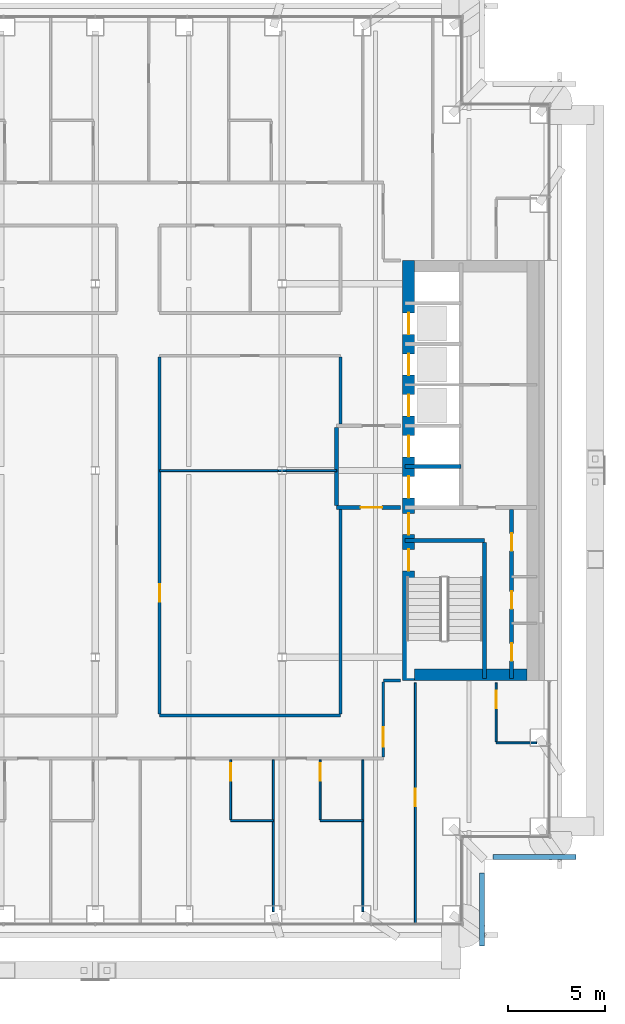
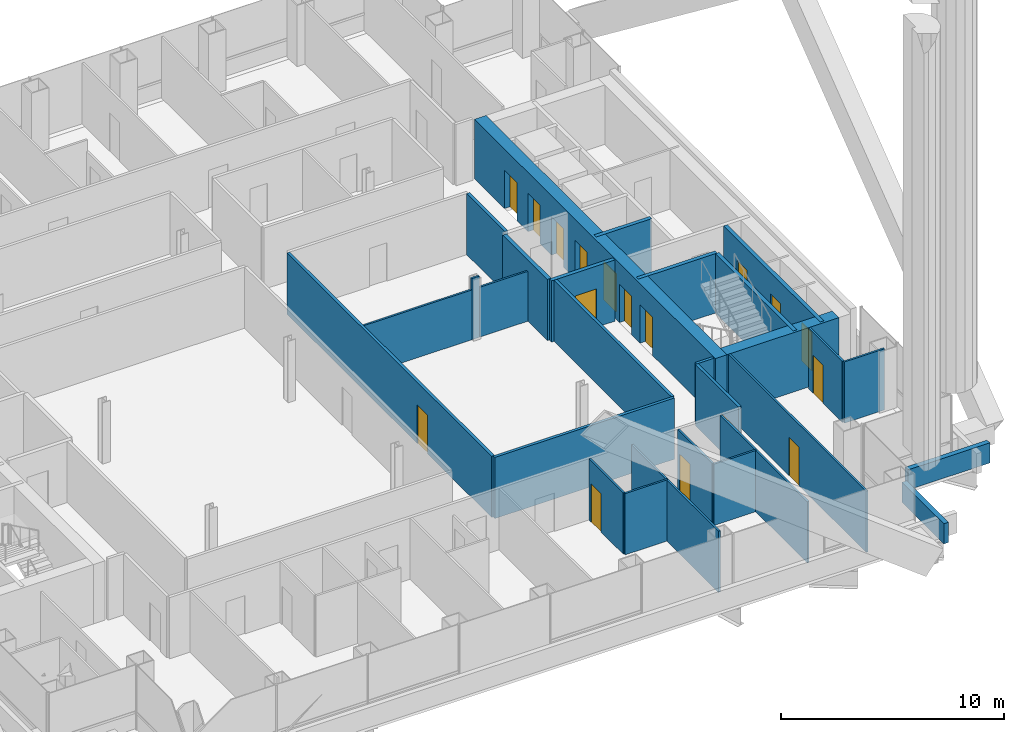
# One storey, part 14 of 22: 28 walls, 17 doors, 17 openings.
"""IFC4 building model written with IfcOpenShell, lengths in metres."""

from ifc_helpers import new_model, si_unit, direction, frame, frame_2d, origin, place, context, subcontext, project, spatial, rectangle, extrude, material, layer, layer_set, type_object, element, fill, save


model = new_model("IFC4")

# Units and contexts
model_context = context("Model", 3, precision=1e-05, world=origin(), true_north=direction((0.0, 1.0)))
body_context = subcontext(model_context, "Body", "Model", "MODEL_VIEW")
ifc_project = project(units=[si_unit("LENGTHUNIT", "METRE"), si_unit("AREAUNIT", "SQUARE_METRE"), si_unit("VOLUMEUNIT", "CUBIC_METRE"), si_unit("PLANEANGLEUNIT", "RADIAN"), si_unit("MASSUNIT", "GRAM", prefix="KILO")], contexts=[model_context])

# Site, building, storey
site_placement = place(None, origin())
site = spatial("IfcSite", under=ifc_project, at=site_placement, CompositionType="ELEMENT")
building_placement = place(site_placement, origin())
building = spatial("IfcBuilding", under=site, at=building_placement, Name="Cobrizo Arcos Hotel Tower", CompositionType="ELEMENT")
storey_placement = place(building_placement, frame((0.0, 0.0, 89.0)))
storey = spatial("IfcBuildingStorey", under=building, at=storey_placement, Name="L21", CompositionType="ELEMENT", Elevation=89.0)

# Walls
ifc_material_1 = material(Name="Gypsum board partition")
ifc_layer_1 = layer(ifc_material_1, 0.14990234375)
ifc_layer_set_1 = layer_set([ifc_layer_1], Name="Corridor wall EI 60 150")
wall_type_1 = type_object("IfcWallType", Name="Corridor wall EI 60 150", PredefinedType="PARTITIONING", material=ifc_layer_set_1)
wall_1_placement = place(storey_placement, frame((3.300048828125, -12.60009765625, 0.0), z_axis=(0.0, 0.0, 1.0), x_axis=(1.0, 0.0, 0.0)))
element("IfcWall", 1, at=wall_1_placement, inside=storey, type_object=wall_type_1, Name="Partition 009", PredefinedType="PARTITIONING", context=body_context, shape_type="SweptSolid", body=[
    extrude(rectangle(XDim=9.300048828125, YDim=0.14990234375, at=frame_2d((4.64990234375, 0.0))), origin(), (0.0, 0.0, 1.0), 3.35009765625),
])
wall_2_placement = place(storey_placement, frame((14.800048828125, -10.800048828125, 0.0), z_axis=(0.0, 0.0, 1.0), x_axis=(1.0, 0.0, 0.0)))
element("IfcWall", 2, at=wall_2_placement, inside=storey, type_object=wall_type_1, Name="Partition 011", PredefinedType="PARTITIONING", context=body_context, shape_type="SweptSolid", body=[
    extrude(rectangle(XDim=0.8798828125, YDim=0.14990234375, at=frame_2d((0.43994140625, 0.0))), origin(), (0.0, 0.0, 1.0), 3.35009765625),
])

# Wall, opening, door
wall_3_placement = place(storey_placement, frame((3.300048828125, -12.52490234375, 0.0), z_axis=(0.0, 0.0, 1.0), x_axis=(0.0, 1.0, 0.0)))
wall_3 = element("IfcWall", 3, at=wall_3_placement, inside=storey, type_object=wall_type_1, Name="Partition 083", PredefinedType="PARTITIONING", context=body_context, shape_type="SweptSolid", body=[
    extrude(rectangle(XDim=18.349853515625, YDim=0.14990234375, at=frame_2d((9.1748046875, 0.0))), origin(), (0.0, 0.0, 1.0), 3.35009765625),
])
opening_1_placement = place(wall_3_placement, frame((5.77490234375, 0.0, 0.0)))
opening_1 = element("IfcOpeningElement", 4, at=opening_1_placement, cuts=wall_3, Name="Opening RD-18", PredefinedType="OPENING", context=body_context, shape_type="SweptSolid", body=[
    extrude(rectangle(XDim=0.89990234375, YDim=2.10009765625, at=frame_2d((0.449951171875, 1.050048828125))), frame((0.0, 0.0869140625, 0.0), z_axis=(0.0, -1.0, 0.0), x_axis=(1.0, 0.0, 0.0)), (0.0, 0.0, 1.0), 0.173828125),
])
ifc_material_2 = material(Name="Timber door leaf", Category="wood")
door_type_1 = type_object("IfcDoorType", Name="Room door FD30 900x2100", OperationType="SINGLE_SWING_LEFT", PredefinedType="DOOR", material=ifc_material_2)
door_1_placement = place(opening_1_placement, origin())
door_1 = element("IfcDoor", 5, at=door_1_placement, inside=storey, type_object=door_type_1, Name="Door RD-18", OperationType="SINGLE_SWING_LEFT", OverallHeight=2.10009765625, OverallWidth=0.89990234375, PredefinedType="DOOR", context=body_context, shape_type="SweptSolid", body=[
    extrude(rectangle(XDim=0.89990234375, YDim=2.10009765625, at=frame_2d((0.449951171875, 1.050048828125))), frame((0.0, 0.02490234375, 0.0), z_axis=(0.0, -1.0, 0.0), x_axis=(1.0, 0.0, 0.0)), (0.0, 0.0, 1.0), 0.050048828125),
])
fill(opening_1, door_1)

# Walls
wall_4_placement = place(storey_placement, frame((12.60009765625, -12.52490234375, 0.0), z_axis=(0.0, 0.0, 1.0), x_axis=(0.0, 1.0, 0.0)))
element("IfcWall", 6, at=wall_4_placement, inside=storey, type_object=wall_type_1, Name="Partition 092", PredefinedType="PARTITIONING", context=body_context, shape_type="SweptSolid", body=[
    extrude(rectangle(XDim=10.52490234375, YDim=0.14990234375, at=frame_2d((5.262451171875, 0.0))), origin(), (0.0, 0.0, 1.0), 3.35009765625),
])
wall_5_placement = place(storey_placement, frame((12.60009765625, 2.39990234375, 0.0), z_axis=(0.0, 0.0, 1.0), x_axis=(0.0, 1.0, 0.0)))
element("IfcWall", 7, at=wall_5_placement, inside=storey, type_object=wall_type_1, Name="Partition 093", PredefinedType="PARTITIONING", context=body_context, shape_type="SweptSolid", body=[
    extrude(rectangle(XDim=3.425048828125, YDim=0.14990234375, at=frame_2d((1.71240234375, 0.0))), origin(), (0.0, 0.0, 1.0), 3.35009765625),
])

# Wall, opening, door
wall_6_placement = place(storey_placement, frame((14.800048828125, -14.72509765625, 0.0), z_axis=(0.0, 0.0, 1.0), x_axis=(0.0, 1.0, 0.0)))
wall_6 = element("IfcWall", 8, at=wall_6_placement, inside=storey, type_object=wall_type_1, Name="Partition 097", PredefinedType="PARTITIONING", context=body_context, shape_type="SweptSolid", body=[
    extrude(rectangle(XDim=3.85009765625, YDim=0.14990234375, at=frame_2d((1.925048828125, 0.0))), origin(), (0.0, 0.0, 1.0), 3.35009765625),
])
opening_2_placement = place(wall_6_placement, frame((0.52490234375, 0.0, 0.0)))
opening_2 = element("IfcOpeningElement", 9, at=opening_2_placement, cuts=wall_6, Name="Opening GD-12", PredefinedType="OPENING", context=body_context, shape_type="SweptSolid", body=[
    extrude(rectangle(XDim=1.0, YDim=2.10009765625, at=frame_2d((0.5, 1.050048828125))), frame((0.0, 0.0869140625, 0.0), z_axis=(0.0, -1.0, 0.0), x_axis=(1.0, 0.0, 0.0)), (0.0, 0.0, 1.0), 0.173828125),
])
door_type_2 = type_object("IfcDoorType", Name="Guest room door FD30S 1000x2100", OperationType="SINGLE_SWING_LEFT", PredefinedType="DOOR", material=ifc_material_2)
door_2_placement = place(opening_2_placement, origin())
door_2 = element("IfcDoor", 10, at=door_2_placement, inside=storey, type_object=door_type_2, Name="Door GD-12", OperationType="SINGLE_SWING_LEFT", OverallHeight=2.10009765625, OverallWidth=1.0, PredefinedType="DOOR", context=body_context, shape_type="SweptSolid", body=[
    extrude(rectangle(XDim=1.0, YDim=2.10009765625, at=frame_2d((0.5, 1.050048828125))), frame((0.0, 0.02490234375, 0.0), z_axis=(0.0, -1.0, 0.0), x_axis=(1.0, 0.0, 0.0)), (0.0, 0.0, 1.0), 0.050048828125),
])
fill(opening_2, door_2)

# Walls
ifc_material_3 = material(Name="Aluminium composite panel pale metal", Category="aluminium")
ifc_layer_2 = layer(ifc_material_3, 0.25)
ifc_layer_set_2 = layer_set([ifc_layer_2], Name="PW-1 parapet wall")
wall_type_2 = type_object("IfcWallType", Name="PW-1 parapet wall", PredefinedType="PARAPET", material=ifc_layer_set_2)
wall_7_placement = place(storey_placement, frame((19.875, -24.449951171875, 0.0), z_axis=(0.0, 0.0, 1.0), x_axis=(0.0, 1.0, 0.0)))
element("IfcWall", 11, at=wall_7_placement, inside=storey, type_object=wall_type_2, Name="Parapet L20 E", PredefinedType="PARAPET", context=body_context, shape_type="SweptSolid", body=[
    extrude(rectangle(XDim=3.75, YDim=0.25, at=frame_2d((1.875, 0.0))), origin(), (0.0, 0.0, 1.0), 1.10009765625),
])
wall_8_placement = place(storey_placement, frame((20.449951171875, -19.875, 0.0), z_axis=(0.0, 0.0, 1.0), x_axis=(1.0, 0.0, 0.0)))
element("IfcWall", 12, at=wall_8_placement, inside=storey, type_object=wall_type_2, Name="Parapet L20 S", PredefinedType="PARAPET", context=body_context, shape_type="SweptSolid", body=[
    extrude(rectangle(XDim=4.25, YDim=0.25, at=frame_2d((2.125, 0.0))), origin(), (0.0, 0.0, 1.0), 1.10009765625),
])
ifc_layer_3 = layer(ifc_material_1, 0.10009765625)
ifc_layer_set_3 = layer_set([ifc_layer_3], Name="Partition EI 30 100")
wall_type_3 = type_object("IfcWallType", Name="Partition EI 30 100", PredefinedType="PARTITIONING", material=ifc_layer_set_3)
for number, where, z_axis, x_axis, name in (
    (13, (6.949951171875, -18.0, 0.0), (0.0, 0.0, 1.0), (1.0, 0.0, 0.0), "Partition 003"),
    (14, (11.550048828125, -18.0, 0.0), (0.0, 0.0, 1.0), (1.0, 0.0, 0.0), "Partition 004"),
):
    element("IfcWall", number, at=place(storey_placement, frame(where, z_axis=z_axis, x_axis=x_axis)), inside=storey, type_object=wall_type_3, Name=name, PredefinedType="PARTITIONING", context=body_context, shape_type="SweptSolid", body=[
        extrude(rectangle(XDim=2.199951171875, YDim=0.10009765625, at=frame_2d((1.10009765625, 0.0))), origin(), (0.0, 0.0, 1.0), 3.35009765625),
    ])
wall_9_placement = place(storey_placement, frame((20.60009765625, -14.0, 0.0), z_axis=(0.0, 0.0, 1.0), x_axis=(1.0, 0.0, 0.0)))
element("IfcWall", 15, at=wall_9_placement, inside=storey, type_object=wall_type_3, Name="Partition 007", PredefinedType="PARTITIONING", context=body_context, shape_type="SweptSolid", body=[
    extrude(rectangle(XDim=2.079833984375, YDim=0.10009765625, at=frame_2d((1.0400390625, 0.0))), origin(), (0.0, 0.0, 1.0), 3.35009765625),
])
wall_10_placement = place(storey_placement, frame((3.300048828125, 0.0, 0.0), z_axis=(0.0, 0.0, 1.0), x_axis=(1.0, 0.0, 0.0)))
element("IfcWall", 16, at=wall_10_placement, inside=storey, type_object=wall_type_3, Name="Partition 022", PredefinedType="PARTITIONING", context=body_context, shape_type="SweptSolid", body=[
    extrude(rectangle(XDim=6.100830078125, YDim=0.10009765625, at=frame_2d((3.05029296875, 0.0))), origin(), (0.0, 0.0, 1.0), 2.72802734375),
])
wall_11_placement = place(storey_placement, frame((9.40087890625, 0.0, 0.0), z_axis=(0.0, 0.0, 1.0), x_axis=(1.0, 0.0, 0.0)))
element("IfcWall", 17, at=wall_11_placement, inside=storey, type_object=wall_type_3, Name="Partition 023", PredefinedType="PARTITIONING", context=body_context, shape_type="SweptSolid", body=[
    extrude(rectangle(XDim=0.398193359375, YDim=0.10009765625, at=frame_2d((0.19921875, 0.0))), origin(), (0.0, 0.0, 1.0), 3.35009765625),
])
wall_12_placement = place(storey_placement, frame((9.799072265625, 0.0, 0.0), z_axis=(0.0, 0.0, 1.0), x_axis=(1.0, 0.0, 0.0)))
element("IfcWall", 18, at=wall_12_placement, inside=storey, type_object=wall_type_3, Name="Partition 024", PredefinedType="PARTITIONING", context=body_context, shape_type="SweptSolid", body=[
    extrude(rectangle(XDim=2.600830078125, YDim=0.10009765625, at=frame_2d((1.30029296875, 0.0))), origin(), (0.0, 0.0, 1.0), 2.72802734375),
])

# Wall, opening, door
wall_13_placement = place(storey_placement, frame((6.949951171875, -17.949951171875, 0.0), z_axis=(0.0, 0.0, 1.0), x_axis=(0.0, 1.0, 0.0)))
wall_13 = element("IfcWall", 19, at=wall_13_placement, inside=storey, type_object=wall_type_3, Name="Partition 086", PredefinedType="PARTITIONING", context=body_context, shape_type="SweptSolid", body=[
    extrude(rectangle(XDim=3.074951171875, YDim=0.10009765625, at=frame_2d((1.53759765625, 0.0))), origin(), (0.0, 0.0, 1.0), 3.35009765625),
])
opening_3_placement = place(wall_13_placement, frame((1.99609375, 0.0, 0.0)))
opening_3 = element("IfcOpeningElement", 20, at=opening_3_placement, cuts=wall_13, Name="Opening ED-08", PredefinedType="OPENING", context=body_context, shape_type="SweptSolid", body=[
    extrude(rectangle(XDim=0.89990234375, YDim=2.10009765625, at=frame_2d((0.449951171875, 1.050048828125))), frame((0.0, 0.06201171875, 0.0), z_axis=(0.0, -1.0, 0.0), x_axis=(1.0, 0.0, 0.0)), (0.0, 0.0, 1.0), 0.1240234375),
])
door_type_3 = type_object("IfcDoorType", Name="En-suite door 900x2100", OperationType="SINGLE_SWING_LEFT", PredefinedType="DOOR", material=ifc_material_2)
door_3_placement = place(opening_3_placement, origin())
door_3 = element("IfcDoor", 21, at=door_3_placement, inside=storey, type_object=door_type_3, Name="Door ED-08", OperationType="SINGLE_SWING_RIGHT", OverallHeight=2.10009765625, OverallWidth=0.89990234375, PredefinedType="DOOR", context=body_context, shape_type="SweptSolid", body=[
    extrude(rectangle(XDim=0.89990234375, YDim=2.10009765625, at=frame_2d((0.449951171875, 1.050048828125))), frame((0.0, 0.02490234375, 0.0), z_axis=(0.0, -1.0, 0.0), x_axis=(1.0, 0.0, 0.0)), (0.0, 0.0, 1.0), 0.050048828125),
])
fill(opening_3, door_3)

# Wall
wall_14_placement = place(storey_placement, frame((9.14990234375, -22.679931640625, 0.0), z_axis=(0.0, 0.0, 1.0), x_axis=(0.0, 1.0, 0.0)))
element("IfcWall", 22, at=wall_14_placement, inside=storey, type_object=wall_type_3, Name="Partition 089", PredefinedType="PARTITIONING", context=body_context, shape_type="SweptSolid", body=[
    extrude(rectangle(XDim=7.804931640625, YDim=0.10009765625, at=frame_2d((3.90234375, 0.0))), origin(), (0.0, 0.0, 1.0), 3.35009765625),
])

# Wall, opening, door
wall_15_placement = place(storey_placement, frame((11.550048828125, -17.949951171875, 0.0), z_axis=(0.0, 0.0, 1.0), x_axis=(0.0, 1.0, 0.0)))
wall_15 = element("IfcWall", 23, at=wall_15_placement, inside=storey, type_object=wall_type_3, Name="Partition 090", PredefinedType="PARTITIONING", context=body_context, shape_type="SweptSolid", body=[
    extrude(rectangle(XDim=3.074951171875, YDim=0.10009765625, at=frame_2d((1.53759765625, 0.0))), origin(), (0.0, 0.0, 1.0), 3.35009765625),
])
opening_4_placement = place(wall_15_placement, frame((1.99609375, 0.0, 0.0)))
opening_4 = element("IfcOpeningElement", 24, at=opening_4_placement, cuts=wall_15, Name="Opening ED-09", PredefinedType="OPENING", context=body_context, shape_type="SweptSolid", body=[
    extrude(rectangle(XDim=0.89990234375, YDim=2.10009765625, at=frame_2d((0.449951171875, 1.050048828125))), frame((0.0, 0.06201171875, 0.0), z_axis=(0.0, -1.0, 0.0), x_axis=(1.0, 0.0, 0.0)), (0.0, 0.0, 1.0), 0.1240234375),
])
door_4_placement = place(opening_4_placement, origin())
door_4 = element("IfcDoor", 25, at=door_4_placement, inside=storey, type_object=door_type_3, Name="Door ED-09", OperationType="SINGLE_SWING_RIGHT", OverallHeight=2.10009765625, OverallWidth=0.89990234375, PredefinedType="DOOR", context=body_context, shape_type="SweptSolid", body=[
    extrude(rectangle(XDim=0.89990234375, YDim=2.10009765625, at=frame_2d((0.449951171875, 1.050048828125))), frame((0.0, 0.02490234375, 0.0), z_axis=(0.0, -1.0, 0.0), x_axis=(1.0, 0.0, 0.0)), (0.0, 0.0, 1.0), 0.050048828125),
])
fill(opening_4, door_4)

# Wall
wall_16_placement = place(storey_placement, frame((13.75, -22.679931640625, 0.0), z_axis=(0.0, 0.0, 1.0), x_axis=(0.0, 1.0, 0.0)))
element("IfcWall", 26, at=wall_16_placement, inside=storey, type_object=wall_type_3, Name="Partition 095", PredefinedType="PARTITIONING", context=body_context, shape_type="SweptSolid", body=[
    extrude(rectangle(XDim=7.804931640625, YDim=0.10009765625, at=frame_2d((3.90234375, 0.0))), origin(), (0.0, 0.0, 1.0), 3.35009765625),
])

# Wall, opening, door
wall_17_placement = place(storey_placement, frame((16.449951171875, -23.280029296875, 0.0), z_axis=(0.0, 0.0, 1.0), x_axis=(0.0, 1.0, 0.0)))
wall_17 = element("IfcWall", 27, at=wall_17_placement, inside=storey, type_object=wall_type_3, Name="Partition 099", PredefinedType="PARTITIONING", context=body_context, shape_type="SweptSolid", body=[
    extrude(rectangle(XDim=12.360107421875, YDim=0.10009765625, at=frame_2d((6.18017578125, 0.0))), origin(), (0.0, 0.0, 1.0), 3.35009765625),
])
opening_5_placement = place(wall_17_placement, frame((6.030029296875, 0.0, 0.0)))
opening_5 = element("IfcOpeningElement", 28, at=opening_5_placement, cuts=wall_17, Name="Opening RD-14", PredefinedType="OPENING", context=body_context, shape_type="SweptSolid", body=[
    extrude(rectangle(XDim=0.89990234375, YDim=2.10009765625, at=frame_2d((0.449951171875, 1.050048828125))), frame((0.0, 0.06201171875, 0.0), z_axis=(0.0, -1.0, 0.0), x_axis=(1.0, 0.0, 0.0)), (0.0, 0.0, 1.0), 0.1240234375),
])
door_5_placement = place(opening_5_placement, origin())
door_5 = element("IfcDoor", 29, at=door_5_placement, inside=storey, type_object=door_type_1, Name="Door RD-14", OperationType="SINGLE_SWING_LEFT", OverallHeight=2.10009765625, OverallWidth=0.89990234375, PredefinedType="DOOR", context=body_context, shape_type="SweptSolid", body=[
    extrude(rectangle(XDim=0.89990234375, YDim=2.10009765625, at=frame_2d((0.449951171875, 1.050048828125))), frame((0.0, 0.02490234375, 0.0), z_axis=(0.0, -1.0, 0.0), x_axis=(1.0, 0.0, 0.0)), (0.0, 0.0, 1.0), 0.050048828125),
])
fill(opening_5, door_5)

wall_18_placement = place(storey_placement, frame((20.60009765625, -13.949951171875, 0.0), z_axis=(0.0, 0.0, 1.0), x_axis=(0.0, 1.0, 0.0)))
wall_18 = element("IfcWall", 30, at=wall_18_placement, inside=storey, type_object=wall_type_3, Name="Partition 104", PredefinedType="PARTITIONING", context=body_context, shape_type="SweptSolid", body=[
    extrude(rectangle(XDim=3.030029296875, YDim=0.10009765625, at=frame_2d((1.51513671875, 0.0))), origin(), (0.0, 0.0, 1.0), 3.35009765625),
])
opening_6_placement = place(wall_18_placement, frame((1.739990234375, 0.0, 0.0)))
opening_6 = element("IfcOpeningElement", 31, at=opening_6_placement, cuts=wall_18, Name="Opening ED-12", PredefinedType="OPENING", context=body_context, shape_type="SweptSolid", body=[
    extrude(rectangle(XDim=0.89990234375, YDim=2.10009765625, at=frame_2d((0.449951171875, 1.050048828125))), frame((0.0, 0.06201171875, 0.0), z_axis=(0.0, -1.0, 0.0), x_axis=(1.0, 0.0, 0.0)), (0.0, 0.0, 1.0), 0.1240234375),
])
door_6_placement = place(opening_6_placement, origin())
door_6 = element("IfcDoor", 32, at=door_6_placement, inside=storey, type_object=door_type_3, Name="Door ED-12", OperationType="SINGLE_SWING_RIGHT", OverallHeight=2.10009765625, OverallWidth=0.89990234375, PredefinedType="DOOR", context=body_context, shape_type="SweptSolid", body=[
    extrude(rectangle(XDim=0.89990234375, YDim=2.10009765625, at=frame_2d((0.449951171875, 1.050048828125))), frame((0.0, 0.02490234375, 0.0), z_axis=(0.0, -1.0, 0.0), x_axis=(1.0, 0.0, 0.0)), (0.0, 0.0, 1.0), 0.050048828125),
])
fill(opening_6, door_6)

# Wall, openings, doors
ifc_material_4 = material(Name="Concrete f'c 50 MPa", Category="concrete")
ifc_layer_4 = layer(ifc_material_4, 0.60009765625)
ifc_layer_set_4 = layer_set([ifc_layer_4], Name="RC core wall 600 f'c 50")
wall_type_4 = type_object("IfcWallType", Name="RC core wall 600 f'c 50", PredefinedType="SHEAR", material=ifc_layer_set_4)
wall_19_placement = place(storey_placement, frame((16.10009765625, -10.800048828125, 0.0), z_axis=(0.0, 0.0, 1.0), x_axis=(0.0, 1.0, 0.0)))
wall_19 = element("IfcWall", 33, at=wall_19_placement, inside=storey, type_object=wall_type_4, Name="Core wall CW2, east core, inner face, L21", PredefinedType="SHEAR", context=body_context, shape_type="SweptSolid", body=[
    extrude(rectangle(XDim=21.60009765625, YDim=0.60009765625, at=frame_2d((10.800048828125, 0.0))), origin(), (0.0, 0.0, 1.0), 3.25),
])
opening_7_placement = place(wall_19_placement, frame((9.39990234375, 0.0, 0.0)))
opening_7 = element("IfcOpeningElement", 34, at=opening_7_placement, cuts=wall_19, Name="Opening LD-06", PredefinedType="OPENING", context=body_context, shape_type="SweptSolid", body=[
    extrude(rectangle(XDim=1.10009765625, YDim=2.10009765625, at=frame_2d((0.550048828125, 1.050048828125))), frame((0.0, 0.31201171875, 0.0), z_axis=(0.0, -1.0, 0.0), x_axis=(1.0, 0.0, 0.0)), (0.0, 0.0, 1.0), 0.6240234375),
])
opening_8_placement = place(wall_19_placement, frame((11.5, 0.0, 0.0)))
opening_8 = element("IfcOpeningElement", 35, at=opening_8_placement, cuts=wall_19, Name="Opening LD-07", PredefinedType="OPENING", context=body_context, shape_type="SweptSolid", body=[
    extrude(rectangle(XDim=1.10009765625, YDim=2.10009765625, at=frame_2d((0.550048828125, 1.050048828125))), frame((0.0, 0.31201171875, 0.0), z_axis=(0.0, -1.0, 0.0), x_axis=(1.0, 0.0, 0.0)), (0.0, 0.0, 1.0), 0.6240234375),
])
opening_9_placement = place(wall_19_placement, frame((13.60009765625, 0.0, 0.0)))
opening_9 = element("IfcOpeningElement", 36, at=opening_9_placement, cuts=wall_19, Name="Opening LD-08", PredefinedType="OPENING", context=body_context, shape_type="SweptSolid", body=[
    extrude(rectangle(XDim=1.10009765625, YDim=2.10009765625, at=frame_2d((0.550048828125, 1.050048828125))), frame((0.0, 0.31201171875, 0.0), z_axis=(0.0, -1.0, 0.0), x_axis=(1.0, 0.0, 0.0)), (0.0, 0.0, 1.0), 0.6240234375),
])
opening_10_placement = place(wall_19_placement, frame((15.699951171875, 0.0, 0.0)))
opening_10 = element("IfcOpeningElement", 37, at=opening_10_placement, cuts=wall_19, Name="Opening LD-09", PredefinedType="OPENING", context=body_context, shape_type="SweptSolid", body=[
    extrude(rectangle(XDim=1.10009765625, YDim=2.10009765625, at=frame_2d((0.550048828125, 1.050048828125))), frame((0.0, 0.31201171875, 0.0), z_axis=(0.0, -1.0, 0.0), x_axis=(1.0, 0.0, 0.0)), (0.0, 0.0, 1.0), 0.6240234375),
])
opening_11_placement = place(wall_19_placement, frame((17.800048828125, 0.0, 0.0)))
opening_11 = element("IfcOpeningElement", 38, at=opening_11_placement, cuts=wall_19, Name="Opening LD-10", PredefinedType="OPENING", context=body_context, shape_type="SweptSolid", body=[
    extrude(rectangle(XDim=1.10009765625, YDim=2.10009765625, at=frame_2d((0.550048828125, 1.050048828125))), frame((0.0, 0.31201171875, 0.0), z_axis=(0.0, -1.0, 0.0), x_axis=(1.0, 0.0, 0.0)), (0.0, 0.0, 1.0), 0.6240234375),
])
opening_12_placement = place(wall_19_placement, frame((5.64208984375, 0.0, 0.0)))
opening_12 = element("IfcOpeningElement", 39, at=opening_12_placement, cuts=wall_19, Name="Opening SD-02", PredefinedType="OPENING", context=body_context, shape_type="SweptSolid", body=[
    extrude(rectangle(XDim=1.10009765625, YDim=2.10009765625, at=frame_2d((0.550048828125, 1.050048828125))), frame((0.0, 0.31201171875, 0.0), z_axis=(0.0, -1.0, 0.0), x_axis=(1.0, 0.0, 0.0)), (0.0, 0.0, 1.0), 0.6240234375),
])
opening_13_placement = place(wall_19_placement, frame((7.5, 0.0, 0.0)))
opening_13 = element("IfcOpeningElement", 40, at=opening_13_placement, cuts=wall_19, Name="Opening FD-04", PredefinedType="OPENING", context=body_context, shape_type="SweptSolid", body=[
    extrude(rectangle(XDim=1.10009765625, YDim=2.10009765625, at=frame_2d((0.550048828125, 1.050048828125))), frame((0.0, 0.31201171875, 0.0), z_axis=(0.0, -1.0, 0.0), x_axis=(1.0, 0.0, 0.0)), (0.0, 0.0, 1.0), 0.6240234375),
])
ifc_material_5 = material(Name="Steel door leaf", Category="steel")
door_type_4 = type_object("IfcDoorType", Name="Fire door FD60 1100x2100", OperationType="SINGLE_SWING_LEFT", PredefinedType="DOOR", material=ifc_material_5)
door_7_placement = place(opening_13_placement, origin())
door_7 = element("IfcDoor", 41, at=door_7_placement, inside=storey, type_object=door_type_4, Name="Door FD-04", OperationType="SINGLE_SWING_RIGHT", OverallHeight=2.10009765625, OverallWidth=1.10009765625, PredefinedType="DOOR", context=body_context, shape_type="SweptSolid", body=[
    extrude(rectangle(XDim=1.10009765625, YDim=2.10009765625, at=frame_2d((0.550048828125, 1.050048828125))), frame((0.0, 0.02490234375, 0.0), z_axis=(0.0, -1.0, 0.0), x_axis=(1.0, 0.0, 0.0)), (0.0, 0.0, 1.0), 0.050048828125),
])
fill(opening_13, door_7)
door_type_5 = type_object("IfcDoorType", Name="Lift landing door 1100x2100", OperationType="SLIDING_TO_LEFT", PredefinedType="DOOR", material=ifc_material_5)
door_8_placement = place(opening_7_placement, origin())
door_8 = element("IfcDoor", 42, at=door_8_placement, inside=storey, type_object=door_type_5, Name="Lift landing door LD-06", OperationType="SLIDING_TO_LEFT", OverallHeight=2.10009765625, OverallWidth=1.10009765625, PredefinedType="DOOR", context=body_context, shape_type="SweptSolid", body=[
    extrude(rectangle(XDim=1.10009765625, YDim=2.10009765625, at=frame_2d((0.550048828125, 1.050048828125))), frame((0.0, 0.02490234375, 0.0), z_axis=(0.0, -1.0, 0.0), x_axis=(1.0, 0.0, 0.0)), (0.0, 0.0, 1.0), 0.050048828125),
])
fill(opening_7, door_8)
door_9_placement = place(opening_8_placement, origin())
door_9 = element("IfcDoor", 43, at=door_9_placement, inside=storey, type_object=door_type_5, Name="Lift landing door LD-07", OperationType="SLIDING_TO_LEFT", OverallHeight=2.10009765625, OverallWidth=1.10009765625, PredefinedType="DOOR", context=body_context, shape_type="SweptSolid", body=[
    extrude(rectangle(XDim=1.10009765625, YDim=2.10009765625, at=frame_2d((0.550048828125, 1.050048828125))), frame((0.0, 0.02490234375, 0.0), z_axis=(0.0, -1.0, 0.0), x_axis=(1.0, 0.0, 0.0)), (0.0, 0.0, 1.0), 0.050048828125),
])
fill(opening_8, door_9)
door_10_placement = place(opening_9_placement, origin())
door_10 = element("IfcDoor", 44, at=door_10_placement, inside=storey, type_object=door_type_5, Name="Lift landing door LD-08", OperationType="SLIDING_TO_LEFT", OverallHeight=2.10009765625, OverallWidth=1.10009765625, PredefinedType="DOOR", context=body_context, shape_type="SweptSolid", body=[
    extrude(rectangle(XDim=1.10009765625, YDim=2.10009765625, at=frame_2d((0.550048828125, 1.050048828125))), frame((0.0, 0.02490234375, 0.0), z_axis=(0.0, -1.0, 0.0), x_axis=(1.0, 0.0, 0.0)), (0.0, 0.0, 1.0), 0.050048828125),
])
fill(opening_9, door_10)
door_11_placement = place(opening_10_placement, origin())
door_11 = element("IfcDoor", 45, at=door_11_placement, inside=storey, type_object=door_type_5, Name="Lift landing door LD-09", OperationType="SLIDING_TO_LEFT", OverallHeight=2.10009765625, OverallWidth=1.10009765625, PredefinedType="DOOR", context=body_context, shape_type="SweptSolid", body=[
    extrude(rectangle(XDim=1.10009765625, YDim=2.10009765625, at=frame_2d((0.550048828125, 1.050048828125))), frame((0.0, 0.02490234375, 0.0), z_axis=(0.0, -1.0, 0.0), x_axis=(1.0, 0.0, 0.0)), (0.0, 0.0, 1.0), 0.050048828125),
])
fill(opening_10, door_11)
door_12_placement = place(opening_11_placement, origin())
door_12 = element("IfcDoor", 46, at=door_12_placement, inside=storey, type_object=door_type_5, Name="Lift landing door LD-10", OperationType="SLIDING_TO_LEFT", OverallHeight=2.10009765625, OverallWidth=1.10009765625, PredefinedType="DOOR", context=body_context, shape_type="SweptSolid", body=[
    extrude(rectangle(XDim=1.10009765625, YDim=2.10009765625, at=frame_2d((0.550048828125, 1.050048828125))), frame((0.0, 0.02490234375, 0.0), z_axis=(0.0, -1.0, 0.0), x_axis=(1.0, 0.0, 0.0)), (0.0, 0.0, 1.0), 0.050048828125),
])
fill(opening_11, door_12)
door_type_6 = type_object("IfcDoorType", Name="Stair door FD60S 1100x2100", OperationType="SINGLE_SWING_LEFT", PredefinedType="DOOR", material=ifc_material_5)
door_13_placement = place(opening_12_placement, origin())
door_13 = element("IfcDoor", 47, at=door_13_placement, inside=storey, type_object=door_type_6, Name="Door SD-02", OperationType="SINGLE_SWING_LEFT", OverallHeight=2.10009765625, OverallWidth=1.10009765625, PredefinedType="DOOR", context=body_context, shape_type="SweptSolid", body=[
    extrude(rectangle(XDim=1.10009765625, YDim=2.10009765625, at=frame_2d((0.550048828125, 1.050048828125))), frame((0.0, 0.02490234375, 0.0), z_axis=(0.0, -1.0, 0.0), x_axis=(1.0, 0.0, 0.0)), (0.0, 0.0, 1.0), 0.050048828125),
])
fill(opening_12, door_13)

# Wall
wall_20_placement = place(storey_placement, frame((16.39990234375, -10.5, 0.0), z_axis=(0.0, 0.0, 1.0), x_axis=(1.0, 0.0, 0.0)))
element("IfcWall", 48, at=wall_20_placement, inside=storey, type_object=wall_type_4, Name="Core wall CW2, east core, south end, L21", PredefinedType="SHEAR", context=body_context, shape_type="SweptSolid", body=[
    extrude(rectangle(XDim=5.800048828125, YDim=0.60009765625, at=frame_2d((2.89990234375, 0.0))), origin(), (0.0, 0.0, 1.0), 3.25),
])

# Wall, opening, door
ifc_layer_5 = layer(ifc_material_1, 0.199951171875)
ifc_layer_set_5 = layer_set([ifc_layer_5], Name="Shaft wall EI 120 200")
wall_type_5 = type_object("IfcWallType", Name="Shaft wall EI 120 200", PredefinedType="PARTITIONING", material=ifc_layer_set_5)
wall_21_placement = place(storey_placement, frame((12.39990234375, -1.89990234375, 0.0), z_axis=(0.0, 0.0, 1.0), x_axis=(1.0, 0.0, 0.0)))
wall_21 = element("IfcWall", 49, at=wall_21_placement, inside=storey, type_object=wall_type_5, Name="Partition 020", PredefinedType="PARTITIONING", context=body_context, shape_type="SweptSolid", body=[
    extrude(rectangle(XDim=3.280029296875, YDim=0.199951171875, at=frame_2d((1.64013671875, 0.0))), origin(), (0.0, 0.0, 1.0), 3.35009765625),
])
opening_14_placement = place(wall_21_placement, frame((1.239990234375, 0.0, 0.0)))
opening_14 = element("IfcOpeningElement", 50, at=opening_14_placement, cuts=wall_21, Name="Opening FD-05", PredefinedType="OPENING", context=body_context, shape_type="SweptSolid", body=[
    extrude(rectangle(XDim=1.10009765625, YDim=2.10009765625, at=frame_2d((0.550048828125, 1.050048828125))), frame((0.0, 0.112060546875, 0.0), z_axis=(0.0, -1.0, 0.0), x_axis=(1.0, 0.0, 0.0)), (0.0, 0.0, 1.0), 0.223876953125),
])
door_14_placement = place(opening_14_placement, origin())
door_14 = element("IfcDoor", 51, at=door_14_placement, inside=storey, type_object=door_type_4, Name="Door FD-05", OperationType="SINGLE_SWING_LEFT", OverallHeight=2.10009765625, OverallWidth=1.10009765625, PredefinedType="DOOR", context=body_context, shape_type="SweptSolid", body=[
    extrude(rectangle(XDim=1.10009765625, YDim=2.10009765625, at=frame_2d((0.550048828125, 1.050048828125))), frame((0.0, 0.02490234375, 0.0), z_axis=(0.0, -1.0, 0.0), x_axis=(1.0, 0.0, 0.0)), (0.0, 0.0, 1.0), 0.050048828125),
])
fill(opening_14, door_14)

# Walls
wall_22_placement = place(storey_placement, frame((15.919921875, 0.199951171875, 0.0), z_axis=(0.0, 0.0, 1.0), x_axis=(1.0, 0.0, 0.0)))
element("IfcWall", 52, at=wall_22_placement, inside=storey, type_object=wall_type_5, Name="Partition 026", PredefinedType="PARTITIONING", context=body_context, shape_type="SweptSolid", body=[
    extrude(rectangle(XDim=2.880126953125, YDim=0.199951171875, at=frame_2d((1.43994140625, 0.0))), origin(), (0.0, 0.0, 1.0), 3.25),
])
wall_23_placement = place(storey_placement, frame((12.39990234375, -1.800048828125, 0.0), z_axis=(0.0, 0.0, 1.0), x_axis=(0.0, 1.0, 0.0)))
element("IfcWall", 53, at=wall_23_placement, inside=storey, type_object=wall_type_5, Name="Partition 091", PredefinedType="PARTITIONING", context=body_context, shape_type="SweptSolid", body=[
    extrude(rectangle(XDim=4.0, YDim=0.199951171875, at=frame_2d((2.0, 0.0))), origin(), (0.0, 0.0, 1.0), 3.35009765625),
])

# Wall, openings, doors
wall_24_placement = place(storey_placement, frame((21.39990234375, -10.679931640625, 0.0), z_axis=(0.0, 0.0, 1.0), x_axis=(0.0, 1.0, 0.0)))
wall_24 = element("IfcWall", 54, at=wall_24_placement, inside=storey, type_object=wall_type_5, Name="Partition 106", PredefinedType="PARTITIONING", context=body_context, shape_type="SweptSolid", body=[
    extrude(rectangle(XDim=8.679931640625, YDim=0.199951171875, at=frame_2d((4.33984375, 0.0))), origin(), (0.0, 0.0, 1.0), 3.25),
])
opening_15_placement = place(wall_24_placement, frame((0.89892578125, 0.0, 0.0)))
opening_15 = element("IfcOpeningElement", 55, at=opening_15_placement, cuts=wall_24, Name="Opening RD-06", PredefinedType="OPENING", context=body_context, shape_type="SweptSolid", body=[
    extrude(rectangle(XDim=0.89990234375, YDim=2.10009765625, at=frame_2d((0.449951171875, 1.050048828125))), frame((0.0, 0.112060546875, 0.0), z_axis=(0.0, -1.0, 0.0), x_axis=(1.0, 0.0, 0.0)), (0.0, 0.0, 1.0), 0.223876953125),
])
opening_16_placement = place(wall_24_placement, frame((3.569091796875, 0.0, 0.0)))
opening_16 = element("IfcOpeningElement", 56, at=opening_16_placement, cuts=wall_24, Name="Opening RD-07", PredefinedType="OPENING", context=body_context, shape_type="SweptSolid", body=[
    extrude(rectangle(XDim=0.89990234375, YDim=2.10009765625, at=frame_2d((0.449951171875, 1.050048828125))), frame((0.0, 0.112060546875, 0.0), z_axis=(0.0, -1.0, 0.0), x_axis=(1.0, 0.0, 0.0)), (0.0, 0.0, 1.0), 0.223876953125),
])
opening_17_placement = place(wall_24_placement, frame((6.550048828125, 0.0, 0.0)))
opening_17 = element("IfcOpeningElement", 57, at=opening_17_placement, cuts=wall_24, Name="Opening RD-08", PredefinedType="OPENING", context=body_context, shape_type="SweptSolid", body=[
    extrude(rectangle(XDim=0.89990234375, YDim=2.10009765625, at=frame_2d((0.449951171875, 1.050048828125))), frame((0.0, 0.112060546875, 0.0), z_axis=(0.0, -1.0, 0.0), x_axis=(1.0, 0.0, 0.0)), (0.0, 0.0, 1.0), 0.223876953125),
])
door_15_placement = place(opening_15_placement, origin())
door_15 = element("IfcDoor", 58, at=door_15_placement, inside=storey, type_object=door_type_1, Name="Door RD-06", OperationType="SINGLE_SWING_RIGHT", OverallHeight=2.10009765625, OverallWidth=0.89990234375, PredefinedType="DOOR", context=body_context, shape_type="SweptSolid", body=[
    extrude(rectangle(XDim=0.89990234375, YDim=2.10009765625, at=frame_2d((0.449951171875, 1.050048828125))), frame((0.0, 0.02490234375, 0.0), z_axis=(0.0, -1.0, 0.0), x_axis=(1.0, 0.0, 0.0)), (0.0, 0.0, 1.0), 0.050048828125),
])
fill(opening_15, door_15)
door_16_placement = place(opening_16_placement, origin())
door_16 = element("IfcDoor", 59, at=door_16_placement, inside=storey, type_object=door_type_1, Name="Door RD-07", OperationType="SINGLE_SWING_LEFT", OverallHeight=2.10009765625, OverallWidth=0.89990234375, PredefinedType="DOOR", context=body_context, shape_type="SweptSolid", body=[
    extrude(rectangle(XDim=0.89990234375, YDim=2.10009765625, at=frame_2d((0.449951171875, 1.050048828125))), frame((0.0, 0.02490234375, 0.0), z_axis=(0.0, -1.0, 0.0), x_axis=(1.0, 0.0, 0.0)), (0.0, 0.0, 1.0), 0.050048828125),
])
fill(opening_16, door_16)
door_17_placement = place(opening_17_placement, origin())
door_17 = element("IfcDoor", 60, at=door_17_placement, inside=storey, type_object=door_type_1, Name="Door RD-08", OperationType="SINGLE_SWING_RIGHT", OverallHeight=2.10009765625, OverallWidth=0.89990234375, PredefinedType="DOOR", context=body_context, shape_type="SweptSolid", body=[
    extrude(rectangle(XDim=0.89990234375, YDim=2.10009765625, at=frame_2d((0.449951171875, 1.050048828125))), frame((0.0, 0.02490234375, 0.0), z_axis=(0.0, -1.0, 0.0), x_axis=(1.0, 0.0, 0.0)), (0.0, 0.0, 1.0), 0.050048828125),
])
fill(opening_17, door_17)

# Walls
ifc_material_6 = material(Name="Concrete f'c 40 MPa", Category="concrete")
ifc_layer_6 = layer(ifc_material_6, 0.199951171875)
ifc_layer_set_6 = layer_set([ifc_layer_6], Name="Stair shaft wall 200")
wall_type_6 = type_object("IfcWallType", Name="Stair shaft wall 200", PredefinedType="SHEAR", material=ifc_layer_set_6)
wall_25_placement = place(storey_placement, frame((15.919921875, -3.60009765625, 0.0), z_axis=(0.0, 0.0, 1.0), x_axis=(1.0, 0.0, 0.0)))
element("IfcWall", 61, at=wall_25_placement, inside=storey, type_object=wall_type_6, Name="Stair shaft wall E", PredefinedType="SHEAR", context=body_context, shape_type="SweptSolid", body=[
    extrude(rectangle(XDim=4.080078125, YDim=0.199951171875, at=frame_2d((2.0400390625, 0.0))), origin(), (0.0, 0.0, 1.0), 3.25),
])
wall_26_placement = place(storey_placement, frame((20.0, -10.679931640625, 0.0), z_axis=(0.0, 0.0, 1.0), x_axis=(0.0, 1.0, 0.0)))
element("IfcWall", 62, at=wall_26_placement, inside=storey, type_object=wall_type_6, Name="Stair shaft wall E", PredefinedType="SHEAR", context=body_context, shape_type="SweptSolid", body=[
    extrude(rectangle(XDim=6.97998046875, YDim=0.199951171875, at=frame_2d((3.489990234375, 0.0))), origin(), (0.0, 0.0, 1.0), 3.25),
])

save(model, "model.ifc")
